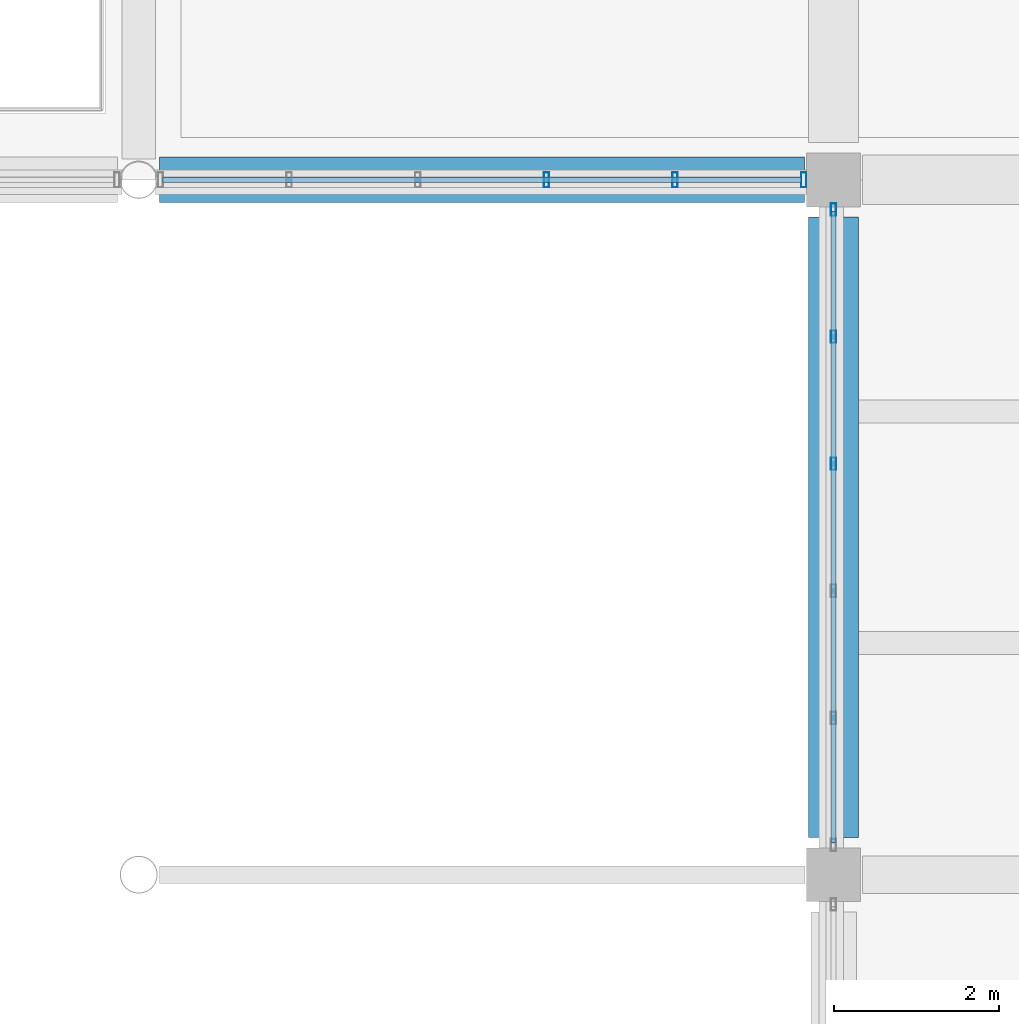
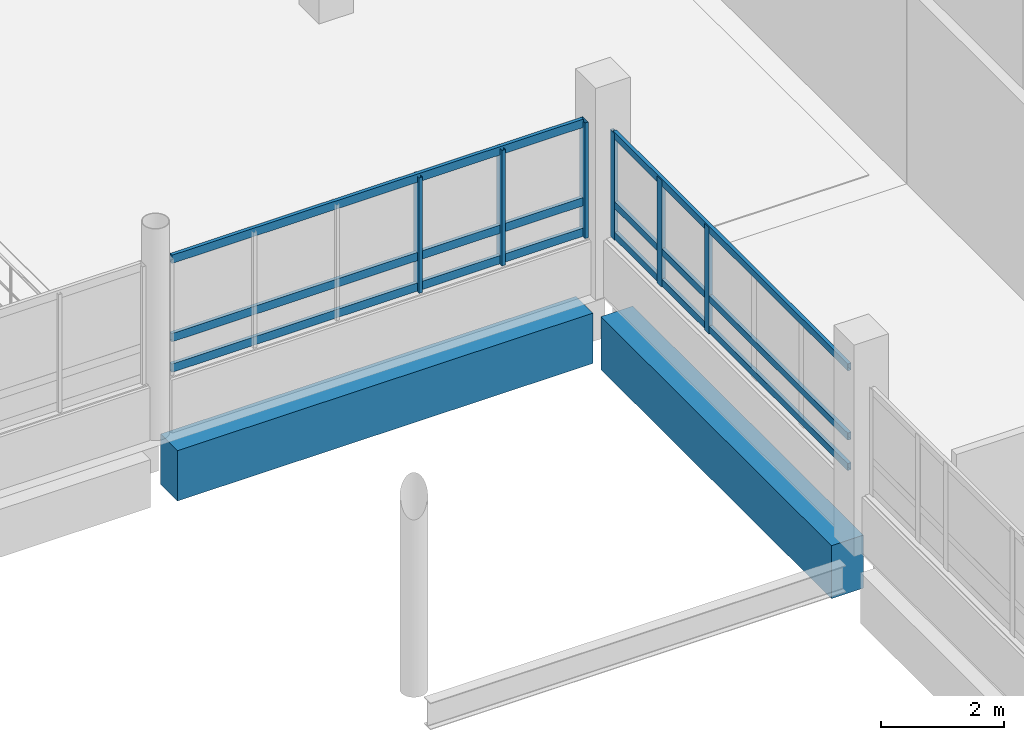
# One storey, part 53 of 101: 12 members, 2 beams, 2 elements without a shape of their own.
"""IFC4 building model written with IfcOpenShell, lengths in metres."""

from ifc_helpers import new_model, si_unit, direction, frame, origin, origin_2d, place, context, subcontext, project, spatial, rectangle, hollow_rectangle, extrude, material, layer, layer_set, material_profile, profile_set, type_object, element, aggregate, save


model = new_model("IFC4")

# Units and contexts
model_context = context("Model", 3, precision=1e-05, world=origin(), true_north=direction((0.0, 1.0)))
body_context = subcontext(model_context, "Body", "Model", "MODEL_VIEW")
ifc_project = project(units=[si_unit("LENGTHUNIT", "METRE"), si_unit("AREAUNIT", "SQUARE_METRE"), si_unit("VOLUMEUNIT", "CUBIC_METRE"), si_unit("PLANEANGLEUNIT", "RADIAN"), si_unit("MASSUNIT", "GRAM", prefix="KILO")], contexts=[model_context])

# Site, building, storey
site_placement = place(None, origin())
site = spatial("IfcSite", under=ifc_project, at=site_placement, CompositionType="ELEMENT")
building_placement = place(site_placement, origin())
building = spatial("IfcBuilding", under=site, at=building_placement, Name="Vireocrest Preparatory School", CompositionType="ELEMENT")
storey_placement = place(building_placement, frame((0.0, 0.0, 4.800048828125)))
storey = spatial("IfcBuildingStorey", under=building, at=storey_placement, Name="L01", CompositionType="ELEMENT", Elevation=4.800048828125)

# Curtain wall, members
ifc_material_1 = material(Name="Thermally broken aluminium EN AW-6063-T6", Category="aluminium")
ifc_layer_1 = layer(ifc_material_1, 0.179931640625)
ifc_layer_set_1 = layer_set([ifc_layer_1], Name="Thermally broken aluminium EN AW-6063-T6")
curtain_wall_type_1 = type_object("IfcCurtainWallType", Name="Court Banded Curtain Wall 8400x3000", PredefinedType="USERDEFINED", material=ifc_layer_set_1)
curtain_wall_1_placement = place(storey_placement, origin())
curtain_wall_1 = element("IfcCurtainWall", 1, at=curtain_wall_1_placement, inside=storey, type_object=curtain_wall_type_1, Name="Curtain Wall CW02 CW_L01_CW02_0924_0777_060", ObjectType="CURTAIN WALL", PredefinedType="USERDEFINED")
ifc_material_profile_1 = material_profile(ifc_material_1, hollow_rectangle(XDim=0.06494140625, YDim=0.14990234375, WallThickness=0.00390625, at=origin_2d()), Name="ALU 65x150x4")
ifc_profile_set_1 = profile_set([ifc_material_profile_1], Name="Thermally broken aluminium EN AW-6063-T6")
member_type_1 = type_object("IfcMemberType", Name="CW Mullion 65x150x4", PredefinedType="MULLION", material=ifc_profile_set_1)
member_1_placement = place(storey_placement, frame((92.39990234375, 82.367919921875, 1.14990234375), z_axis=(0.0, 0.0, 1.0), x_axis=(1.0, 0.0, 0.0)))
member_1 = element("IfcMember", 2, at=member_1_placement, type_object=member_type_1, Name="CW Mullion ML1 CW_L01_CW02_0924_0777_060-4", PredefinedType="MULLION", context=body_context, shape_type="SweptSolid", body=[
    extrude(hollow_rectangle(XDim=0.06494140625, YDim=0.14990234375, WallThickness=0.00390625, at=origin_2d()), origin(), (0.0, 0.0, 1.0), 2.114990234375),
])
member_2_placement = place(storey_placement, frame((92.39990234375, 83.904052734375, 1.14990234375), z_axis=(0.0, 0.0, 1.0), x_axis=(1.0, 0.0, 0.0)))
member_2 = element("IfcMember", 3, at=member_2_placement, type_object=member_type_1, Name="CW Mullion ML1 CW_L01_CW02_0924_0777_060-5", PredefinedType="MULLION", context=body_context, shape_type="SweptSolid", body=[
    extrude(hollow_rectangle(XDim=0.06494140625, YDim=0.14990234375, WallThickness=0.00390625, at=origin_2d()), origin(), (0.0, 0.0, 1.0), 2.114990234375),
])
member_3_placement = place(storey_placement, frame((92.39990234375, 85.43994140625, 1.14990234375), z_axis=(0.0, 0.0, 1.0), x_axis=(1.0, 0.0, 0.0)))
member_3 = element("IfcMember", 4, at=member_3_placement, type_object=member_type_1, Name="CW Mullion ML1 CW_L01_CW02_0924_0777_060-6", PredefinedType="MULLION", context=body_context, shape_type="SweptSolid", body=[
    extrude(hollow_rectangle(XDim=0.06494140625, YDim=0.14990234375, WallThickness=0.00390625, at=origin_2d()), origin(), (0.0, 0.0, 1.0), 2.114990234375),
])

ifc_layer_2 = layer(ifc_material_1, 0.179931640625)
ifc_layer_set_2 = layer_set([ifc_layer_2], Name="Thermally broken aluminium EN AW-6063-T6")
curtain_wall_type_2 = type_object("IfcCurtainWallType", Name="Court Banded Curtain Wall 8400x3600", PredefinedType="USERDEFINED", material=ifc_layer_set_2)
curtain_wall_2_placement = place(storey_placement, origin())
curtain_wall_2 = element("IfcCurtainWall", 5, at=curtain_wall_2_placement, inside=storey, type_object=curtain_wall_type_2, Name="Curtain Wall CW01 CW_L01_CW01_0842_0858_059", ObjectType="CURTAIN WALL", PredefinedType="USERDEFINED")
ifc_material_profile_2 = material_profile(ifc_material_1, hollow_rectangle(XDim=0.06494140625, YDim=0.179931640625, WallThickness=0.00390625, at=origin_2d()), Name="ALU 65x180x4")
ifc_profile_set_2 = profile_set([ifc_material_profile_2], Name="Thermally broken aluminium EN AW-6063-T6")
member_type_2 = type_object("IfcMemberType", Name="CW Mullion 65x180x4", PredefinedType="MULLION", material=ifc_profile_set_2)
member_4_placement = place(storey_placement, frame((88.929443359375, 85.800048828125, 1.099853515625), z_axis=(0.0, 0.0, 1.0), x_axis=(1.0, 0.0, 0.0)))
member_4 = element("IfcMember", 6, at=member_4_placement, type_object=member_type_2, Name="CW Mullion ML2 CW_L01_CW01_0842_0858_059-4", PredefinedType="MULLION", context=body_context, shape_type="SweptSolid", body=[
    extrude(hollow_rectangle(XDim=0.06494140625, YDim=0.179931640625, WallThickness=0.00390625, at=origin_2d()), origin(), (0.0, 0.0, 1.0), 2.295166015625),
])
member_5_placement = place(storey_placement, frame((90.484619140625, 85.800048828125, 1.099853515625), z_axis=(0.0, 0.0, 1.0), x_axis=(1.0, 0.0, 0.0)))
member_5 = element("IfcMember", 7, at=member_5_placement, type_object=member_type_2, Name="CW Mullion ML2 CW_L01_CW01_0842_0858_059-5", PredefinedType="MULLION", context=body_context, shape_type="SweptSolid", body=[
    extrude(hollow_rectangle(XDim=0.06494140625, YDim=0.179931640625, WallThickness=0.00390625, at=origin_2d()), origin(), (0.0, 0.0, 1.0), 2.295166015625),
])
member_6_placement = place(storey_placement, frame((92.0400390625, 85.800048828125, 1.099853515625), z_axis=(0.0, 0.0, 1.0), x_axis=(1.0, 0.0, 0.0)))
member_6 = element("IfcMember", 8, at=member_6_placement, type_object=member_type_2, Name="CW Mullion ML2 CW_L01_CW01_0842_0858_059-6", PredefinedType="MULLION", context=body_context, shape_type="SweptSolid", body=[
    extrude(hollow_rectangle(XDim=0.06494140625, YDim=0.179931640625, WallThickness=0.00390625, at=origin_2d()), origin(), (0.0, 0.0, 1.0), 2.295166015625),
])

# Member
ifc_material_profile_3 = material_profile(ifc_material_1, hollow_rectangle(XDim=0.06494140625, YDim=0.139892578125, WallThickness=0.00390625, at=origin_2d()), Name="ALU 65x140x4")
ifc_profile_set_3 = profile_set([ifc_material_profile_3], Name="Thermally broken aluminium EN AW-6063-T6")
member_type_3 = type_object("IfcMemberType", Name="CW Transom 65x140x4", PredefinedType="USERDEFINED", material=ifc_profile_set_3)
member_7_placement = place(storey_placement, frame((92.39990234375, 77.784912109375, 1.244873046875), z_axis=(0.0, 1.0, 0.0), x_axis=(-1.0, 0.0, 0.0)))
member_7 = element("IfcMember", 9, at=member_7_placement, type_object=member_type_3, Name="CW Transom TR1 CW_L01_CW02_0924_0777_060-1", ObjectType="TRANSOM", PredefinedType="USERDEFINED", context=body_context, shape_type="SweptSolid", body=[
    extrude(hollow_rectangle(XDim=0.06494140625, YDim=0.139892578125, WallThickness=0.00390625, at=origin_2d()), origin(), (0.0, 0.0, 1.0), 7.630126953125),
])

member_8_placement = place(storey_placement, frame((92.39990234375, 77.784912109375, 1.849853515625), z_axis=(0.0, 1.0, 0.0), x_axis=(-1.0, 0.0, 0.0)))
member_8 = element("IfcMember", 10, at=member_8_placement, type_object=member_type_3, Name="CW Transom TR1 CW_L01_CW02_0924_0777_060-2", ObjectType="TRANSOM", PredefinedType="USERDEFINED", context=body_context, shape_type="SweptSolid", body=[
    extrude(hollow_rectangle(XDim=0.06494140625, YDim=0.139892578125, WallThickness=0.00390625, at=origin_2d()), origin(), (0.0, 0.0, 1.0), 7.630126953125),
])

member_9_placement = place(storey_placement, frame((92.39990234375, 77.784912109375, 3.224853515625), z_axis=(0.0, 1.0, 0.0), x_axis=(-1.0, 0.0, 0.0)))
member_9 = element("IfcMember", 11, at=member_9_placement, type_object=member_type_3, Name="CW Transom TR1 CW_L01_CW02_0924_0777_060-3", ObjectType="TRANSOM", PredefinedType="USERDEFINED", context=body_context, shape_type="SweptSolid", body=[
    extrude(hollow_rectangle(XDim=0.06494140625, YDim=0.139892578125, WallThickness=0.00390625, at=origin_2d()), origin(), (0.0, 0.0, 1.0), 7.630126953125),
])

aggregate(curtain_wall_1, [member_1, member_2, member_3, member_7, member_8, member_9])

ifc_material_profile_4 = material_profile(ifc_material_1, hollow_rectangle(XDim=0.06494140625, YDim=0.1650390625, WallThickness=0.00390625, at=origin_2d()), Name="ALU 65x165x4")
ifc_profile_set_4 = profile_set([ifc_material_profile_4], Name="Thermally broken aluminium EN AW-6063-T6")
member_type_4 = type_object("IfcMemberType", Name="CW Transom 65x165x4", PredefinedType="USERDEFINED", material=ifc_profile_set_4)
member_10_placement = place(storey_placement, frame((84.28857421875, 85.800048828125, 1.195068359375), z_axis=(1.0, 0.0, 0.0), x_axis=(0.0, 1.0, 0.0)))
member_10 = element("IfcMember", 12, at=member_10_placement, type_object=member_type_4, Name="CW Transom TR2 CW_L01_CW01_0842_0858_059-1", ObjectType="TRANSOM", PredefinedType="USERDEFINED", context=body_context, shape_type="SweptSolid", body=[
    extrude(hollow_rectangle(XDim=0.06494140625, YDim=0.1650390625, WallThickness=0.00390625, at=origin_2d()), origin(), (0.0, 0.0, 1.0), 7.726318359375),
])

member_11_placement = place(storey_placement, frame((84.28857421875, 85.800048828125, 1.800048828125), z_axis=(1.0, 0.0, 0.0), x_axis=(0.0, 1.0, 0.0)))
member_11 = element("IfcMember", 13, at=member_11_placement, type_object=member_type_4, Name="CW Transom TR2 CW_L01_CW01_0842_0858_059-2", ObjectType="TRANSOM", PredefinedType="USERDEFINED", context=body_context, shape_type="SweptSolid", body=[
    extrude(hollow_rectangle(XDim=0.06494140625, YDim=0.1650390625, WallThickness=0.00390625, at=origin_2d()), origin(), (0.0, 0.0, 1.0), 7.726318359375),
])

member_12_placement = place(storey_placement, frame((84.28857421875, 85.800048828125, 3.35498046875), z_axis=(1.0, 0.0, 0.0), x_axis=(0.0, 1.0, 0.0)))
member_12 = element("IfcMember", 14, at=member_12_placement, type_object=member_type_4, Name="CW Transom TR2 CW_L01_CW01_0842_0858_059-3", ObjectType="TRANSOM", PredefinedType="USERDEFINED", context=body_context, shape_type="SweptSolid", body=[
    extrude(hollow_rectangle(XDim=0.06494140625, YDim=0.1650390625, WallThickness=0.00390625, at=origin_2d()), origin(), (0.0, 0.0, 1.0), 7.726318359375),
])

aggregate(curtain_wall_2, [member_4, member_5, member_6, member_10, member_11, member_12])

# Beams
ifc_material_2 = material(Name="Concrete 40 MPa", Category="concrete")
ifc_material_profile_5 = material_profile(ifc_material_2, rectangle(XDim=0.550048828125, YDim=1.0, at=origin_2d()), Name="RC 550x1000")
ifc_profile_set_5 = profile_set([ifc_material_profile_5], Name="Concrete 40 MPa")
beam_type_1 = type_object("IfcBeamType", Name="RC Core Coupling Beam 550x1000", PredefinedType="BEAM", material=ifc_profile_set_5)
beam_1_placement = place(storey_placement, frame((84.25390625, 85.800048828125, -0.780029296875), z_axis=(1.0, 0.0, 0.0), x_axis=(0.0, 1.0, 0.0)))
element("IfcBeam", 15, at=beam_1_placement, inside=storey, type_object=beam_type_1, Name="Primary Girder B18 L01-0340", PredefinedType="BEAM", context=body_context, shape_type="SweptSolid", body=[
    extrude(rectangle(XDim=0.550048828125, YDim=1.0, at=origin_2d()), origin(), (0.0, 0.0, 1.0), 7.796142578125),
])
ifc_material_profile_6 = material_profile(ifc_material_2, rectangle(XDim=0.60009765625, YDim=1.050048828125, at=origin_2d()), Name="RC 600x1050")
ifc_profile_set_6 = profile_set([ifc_material_profile_6], Name="Concrete 40 MPa")
beam_type_2 = type_object("IfcBeamType", Name="RC Transfer Girder 600x1050", PredefinedType="BEAM", material=ifc_profile_set_6)
beam_2_placement = place(storey_placement, frame((92.39990234375, 77.85009765625, -0.78515625), z_axis=(0.0, 1.0, 0.0), x_axis=(-1.0, 0.0, 0.0)))
element("IfcBeam", 16, at=beam_2_placement, inside=storey, type_object=beam_type_2, Name="Primary Girder B19 L01-0444", PredefinedType="BEAM", context=body_context, shape_type="SweptSolid", body=[
    extrude(rectangle(XDim=0.60009765625, YDim=1.050048828125, at=origin_2d()), origin(), (0.0, 0.0, 1.0), 7.5),
])

save(model, "model.ifc")
